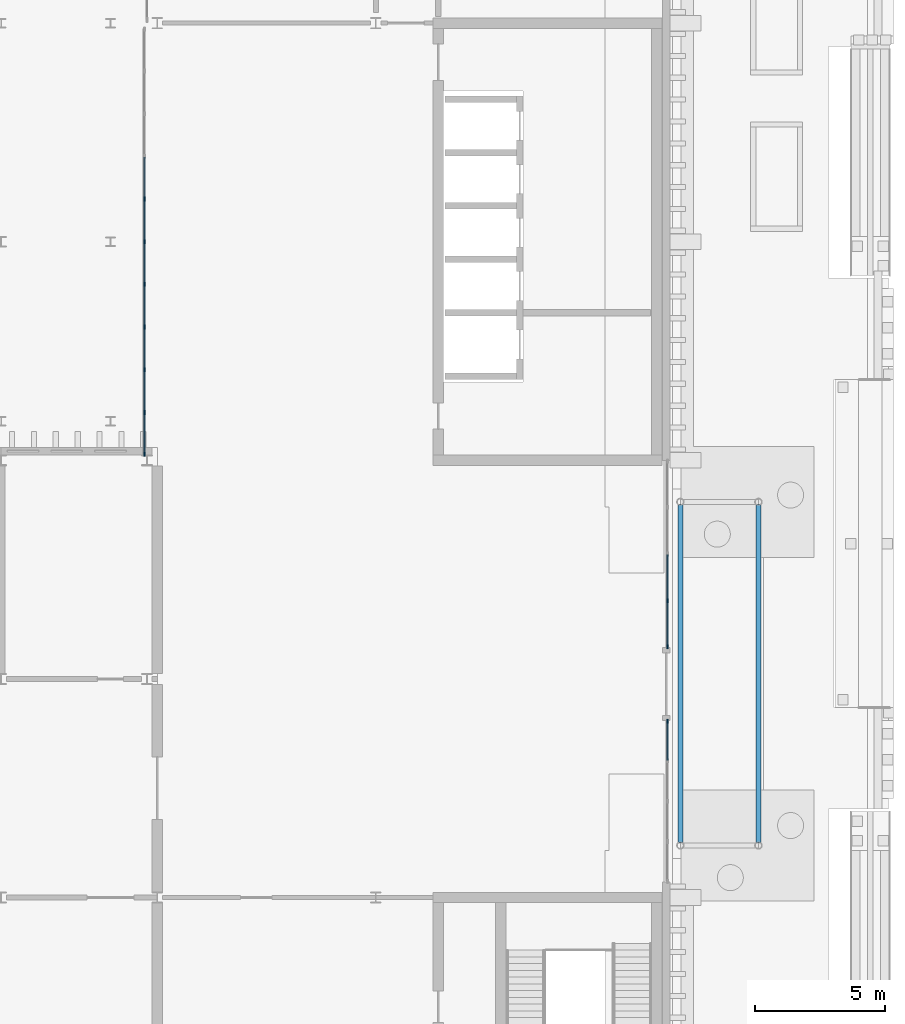
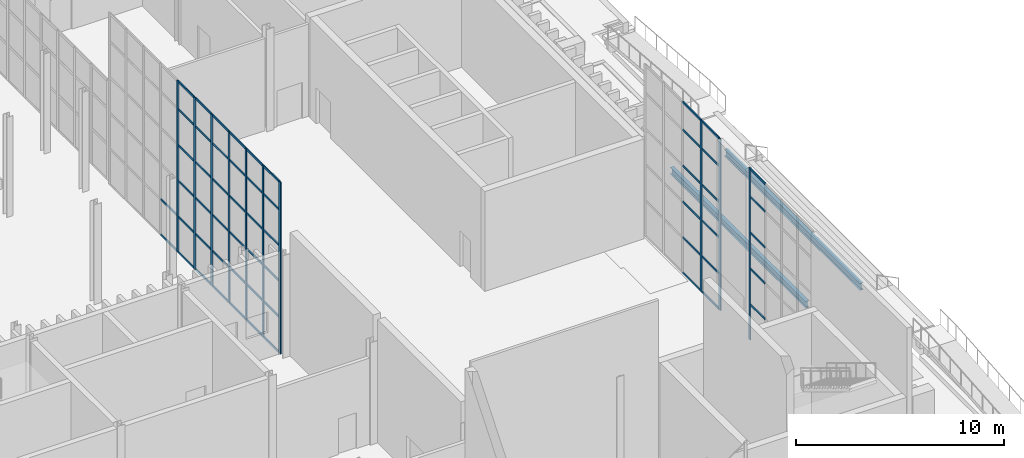
# One storey, part 40 of 108: 65 members, 2 beams, 3 elements without a shape of their own.
"""IFC4 building model written with IfcOpenShell, lengths in metres."""

from ifc_helpers import new_model, si_unit, direction, frame, origin, origin_2d, place, context, subcontext, project, spatial, rectangle, i_section, extrude, material, material_profile, profile_set, type_object, element, aggregate, save


model = new_model("IFC4")

# Units and contexts
model_context = context("Model", 3, precision=1e-05, world=origin(), true_north=direction((0.0, 1.0)))
body_context = subcontext(model_context, "Body", "Model", "MODEL_VIEW")
ifc_project = project(units=[si_unit("LENGTHUNIT", "METRE"), si_unit("AREAUNIT", "SQUARE_METRE"), si_unit("VOLUMEUNIT", "CUBIC_METRE"), si_unit("PLANEANGLEUNIT", "RADIAN"), si_unit("MASSUNIT", "GRAM", prefix="KILO")], contexts=[model_context])

# Site, building, storey
site_placement = place(None, origin())
site = spatial("IfcSite", under=ifc_project, at=site_placement, CompositionType="ELEMENT")
building_placement = place(site_placement, origin())
building = spatial("IfcBuilding", under=site, at=building_placement, Name="Cresset Court Congress Hotel", CompositionType="ELEMENT")
storey_placement = place(building_placement, origin())
storey = spatial("IfcBuildingStorey", under=building, at=storey_placement, Name="L00", CompositionType="ELEMENT", Elevation=0.0)

# Beams
ifc_material_1 = material(Name="Structural steel Q355B", Category="steel")
ifc_material_profile_1 = material_profile(ifc_material_1, i_section(OverallWidth=0.198974609375, OverallDepth=0.39599609375, WebThickness=0.007080078125, FlangeThickness=0.010986328125, FilletRadius=0.01611328125, at=origin_2d()), Name="HN396x199x7x11")
ifc_profile_set_1 = profile_set([ifc_material_profile_1], Name="Structural steel Q355B")
beam_type = type_object("IfcBeamType", Name="Canopy beam HN396x199x7x11", PredefinedType="BEAM", material=ifc_profile_set_1)
for number, where, z_axis, x_axis, name in (
    (1, (177.300048828125, 10.49951171875, 4.701904296875), (0.0, 1.0, 0.0), (-1.0, 0.0, 0.0), "Canopy edge beam 1"),
    (2, (180.300048828125, 10.49951171875, 4.701904296875), (0.0, 1.0, 0.0), (-1.0, 0.0, 0.0), "Canopy edge beam 2"),
):
    element("IfcBeam", number, at=place(storey_placement, frame(where, z_axis=z_axis, x_axis=x_axis)), inside=storey, type_object=beam_type, Name=name, PredefinedType="BEAM", context=body_context, shape_type="SweptSolid", body=[
        extrude(i_section(OverallWidth=0.198974609375, OverallDepth=0.39599609375, WebThickness=0.007080078125, FlangeThickness=0.010986328125, FilletRadius=0.01611328125, at=origin_2d()), origin(), (0.0, 0.0, 1.0), 13.0009765625),
    ])

# Curtain wall, members
ifc_material_2 = material(Name="Aluminium and glass", Category="aluminium")
curtain_wall_type = type_object("IfcCurtainWallType", Name="Curtain wall 1680 module", PredefinedType="NOTDEFINED", material=ifc_material_2)
curtain_wall_1_placement = place(storey_placement, origin())
curtain_wall_1 = element("IfcCurtainWall", 3, at=curtain_wall_1_placement, inside=storey, type_object=curtain_wall_type, Name="Lobby glazing west", PredefinedType="NOTDEFINED")
ifc_material_3 = material(Name="Anodised aluminium", Category="aluminium")
ifc_material_profile_2 = material_profile(ifc_material_3, rectangle(XDim=0.06005859375, YDim=0.159912109375, at=origin_2d()), Name="AL60x160")
ifc_profile_set_2 = profile_set([ifc_material_profile_2], Name="Anodised aluminium")
member_type_1 = type_object("IfcMemberType", Name="Curtain wall mullion 60x160", PredefinedType="MULLION", material=ifc_profile_set_2)
member_1_placement = place(storey_placement, frame((156.699951171875, 25.429931640625, 0.0), z_axis=(0.0, 0.0, 1.0), x_axis=(-1.0, 0.0, 0.0)))
member_1 = element("IfcMember", 4, at=member_1_placement, type_object=member_type_1, Name="A-X1 mullion 1", PredefinedType="MULLION", context=body_context, shape_type="SweptSolid", body=[
    extrude(rectangle(XDim=0.06005859375, YDim=0.159912109375, at=origin_2d()), origin(), (0.0, 0.0, 1.0), 10.050048828125),
])
member_2_placement = place(storey_placement, frame((156.699951171875, 27.0400390625, 0.0), z_axis=(0.0, 0.0, 1.0), x_axis=(-1.0, 0.0, 0.0)))
member_2 = element("IfcMember", 5, at=member_2_placement, type_object=member_type_1, Name="A-X1 mullion 2", PredefinedType="MULLION", context=body_context, shape_type="SweptSolid", body=[
    extrude(rectangle(XDim=0.06005859375, YDim=0.159912109375, at=origin_2d()), origin(), (0.0, 0.0, 1.0), 10.050048828125),
])
member_3_placement = place(storey_placement, frame((156.699951171875, 28.679931640625, 0.0), z_axis=(0.0, 0.0, 1.0), x_axis=(-1.0, 0.0, 0.0)))
member_3 = element("IfcMember", 6, at=member_3_placement, type_object=member_type_1, Name="A-X1 mullion 3", PredefinedType="MULLION", context=body_context, shape_type="SweptSolid", body=[
    extrude(rectangle(XDim=0.06005859375, YDim=0.159912109375, at=origin_2d()), origin(), (0.0, 0.0, 1.0), 10.050048828125),
])
member_4_placement = place(storey_placement, frame((156.699951171875, 30.320068359375, 0.0), z_axis=(0.0, 0.0, 1.0), x_axis=(-1.0, 0.0, 0.0)))
member_4 = element("IfcMember", 7, at=member_4_placement, type_object=member_type_1, Name="A-X1 mullion 4", PredefinedType="MULLION", context=body_context, shape_type="SweptSolid", body=[
    extrude(rectangle(XDim=0.06005859375, YDim=0.159912109375, at=origin_2d()), origin(), (0.0, 0.0, 1.0), 10.050048828125),
])
member_5_placement = place(storey_placement, frame((156.699951171875, 31.9599609375, 0.0), z_axis=(0.0, 0.0, 1.0), x_axis=(-1.0, 0.0, 0.0)))
member_5 = element("IfcMember", 8, at=member_5_placement, type_object=member_type_1, Name="A-X1 mullion 5", PredefinedType="MULLION", context=body_context, shape_type="SweptSolid", body=[
    extrude(rectangle(XDim=0.06005859375, YDim=0.159912109375, at=origin_2d()), origin(), (0.0, 0.0, 1.0), 10.050048828125),
])
member_6_placement = place(storey_placement, frame((156.699951171875, 33.60009765625, 0.0), z_axis=(0.0, 0.0, 1.0), x_axis=(-1.0, 0.0, 0.0)))
member_6 = element("IfcMember", 9, at=member_6_placement, type_object=member_type_1, Name="A-X1 mullion 6", PredefinedType="MULLION", context=body_context, shape_type="SweptSolid", body=[
    extrude(rectangle(XDim=0.06005859375, YDim=0.159912109375, at=origin_2d()), origin(), (0.0, 0.0, 1.0), 10.050048828125),
])
member_7_placement = place(storey_placement, frame((156.699951171875, 35.239990234375, 0.0), z_axis=(0.0, 0.0, 1.0), x_axis=(-1.0, 0.0, 0.0)))
member_7 = element("IfcMember", 10, at=member_7_placement, type_object=member_type_1, Name="A-X1 mullion 7", PredefinedType="MULLION", context=body_context, shape_type="SweptSolid", body=[
    extrude(rectangle(XDim=0.06005859375, YDim=0.159912109375, at=origin_2d()), origin(), (0.0, 0.0, 1.0), 10.050048828125),
])

# Curtain wall, member
curtain_wall_2_placement = place(storey_placement, origin())
curtain_wall_2 = element("IfcCurtainWall", 11, at=curtain_wall_2_placement, inside=storey, type_object=curtain_wall_type, Name="Entrance glazing south", PredefinedType="NOTDEFINED")
member_8_placement = place(storey_placement, frame((176.800048828125, 15.169921875, 0.0), z_axis=(0.0, 0.0, 1.0), x_axis=(-1.0, 0.0, 0.0)))
member_8 = element("IfcMember", 12, at=member_8_placement, type_object=member_type_1, Name="A-X1 mullion 5", PredefinedType="MULLION", context=body_context, shape_type="SweptSolid", body=[
    extrude(rectangle(XDim=0.06005859375, YDim=0.159912109375, at=origin_2d()), origin(), (0.0, 0.0, 1.0), 10.050048828125),
])

# Curtain wall, members
curtain_wall_3_placement = place(storey_placement, origin())
curtain_wall_3 = element("IfcCurtainWall", 13, at=curtain_wall_3_placement, inside=storey, type_object=curtain_wall_type, Name="Entrance glazing north", PredefinedType="NOTDEFINED")
member_9_placement = place(storey_placement, frame((176.800048828125, 18.030029296875, 0.0), z_axis=(0.0, 0.0, 1.0), x_axis=(-1.0, 0.0, 0.0)))
member_9 = element("IfcMember", 14, at=member_9_placement, type_object=member_type_1, Name="A-X1 mullion 1", PredefinedType="MULLION", context=body_context, shape_type="SweptSolid", body=[
    extrude(rectangle(XDim=0.06005859375, YDim=0.159912109375, at=origin_2d()), origin(), (0.0, 0.0, 1.0), 10.050048828125),
])
member_10_placement = place(storey_placement, frame((176.800048828125, 19.800048828125, 0.0), z_axis=(0.0, 0.0, 1.0), x_axis=(-1.0, 0.0, 0.0)))
member_10 = element("IfcMember", 15, at=member_10_placement, type_object=member_type_1, Name="A-X1 mullion 2", PredefinedType="MULLION", context=body_context, shape_type="SweptSolid", body=[
    extrude(rectangle(XDim=0.06005859375, YDim=0.159912109375, at=origin_2d()), origin(), (0.0, 0.0, 1.0), 10.050048828125),
])

# Member
ifc_material_4 = material(Name="Anodised aluminium", Category="aluminium")
ifc_material_profile_3 = material_profile(ifc_material_4, rectangle(XDim=0.06005859375, YDim=0.1201171875, at=origin_2d()), Name="AL60x120")
ifc_profile_set_3 = profile_set([ifc_material_profile_3], Name="Anodised aluminium")
member_type_2 = type_object("IfcMemberType", Name="Curtain wall transom 60x120", PredefinedType="USERDEFINED", material=ifc_profile_set_3)
member_11_placement = place(storey_placement, frame((156.699951171875, 25.4599609375, 0.030029296875), z_axis=(0.0, 1.0, 0.0), x_axis=(-1.0, 0.0, 0.0)))
member_11 = element("IfcMember", 16, at=member_11_placement, type_object=member_type_2, Name="A-X1 transom 1.1", ObjectType="TRANSOM", PredefinedType="USERDEFINED", context=body_context, shape_type="SweptSolid", body=[
    extrude(rectangle(XDim=0.06005859375, YDim=0.1201171875, at=origin_2d()), origin(), (0.0, 0.0, 1.0), 1.550048828125),
])

member_12_placement = place(storey_placement, frame((156.699951171875, 25.4599609375, 2.10009765625), z_axis=(0.0, 1.0, 0.0), x_axis=(-1.0, 0.0, 0.0)))
member_12 = element("IfcMember", 17, at=member_12_placement, type_object=member_type_2, Name="A-X1 transom 1.2", ObjectType="TRANSOM", PredefinedType="USERDEFINED", context=body_context, shape_type="SweptSolid", body=[
    extrude(rectangle(XDim=0.06005859375, YDim=0.1201171875, at=origin_2d()), origin(), (0.0, 0.0, 1.0), 1.550048828125),
])

member_13_placement = place(storey_placement, frame((156.699951171875, 25.4599609375, 4.199951171875), z_axis=(0.0, 1.0, 0.0), x_axis=(-1.0, 0.0, 0.0)))
member_13 = element("IfcMember", 18, at=member_13_placement, type_object=member_type_2, Name="A-X1 transom 1.3", ObjectType="TRANSOM", PredefinedType="USERDEFINED", context=body_context, shape_type="SweptSolid", body=[
    extrude(rectangle(XDim=0.06005859375, YDim=0.1201171875, at=origin_2d()), origin(), (0.0, 0.0, 1.0), 1.550048828125),
])

member_14_placement = place(storey_placement, frame((156.699951171875, 25.4599609375, 6.300048828125), z_axis=(0.0, 1.0, 0.0), x_axis=(-1.0, 0.0, 0.0)))
member_14 = element("IfcMember", 19, at=member_14_placement, type_object=member_type_2, Name="A-X1 transom 1.4", ObjectType="TRANSOM", PredefinedType="USERDEFINED", context=body_context, shape_type="SweptSolid", body=[
    extrude(rectangle(XDim=0.06005859375, YDim=0.1201171875, at=origin_2d()), origin(), (0.0, 0.0, 1.0), 1.550048828125),
])

member_15_placement = place(storey_placement, frame((156.699951171875, 25.4599609375, 8.39990234375), z_axis=(0.0, 1.0, 0.0), x_axis=(-1.0, 0.0, 0.0)))
member_15 = element("IfcMember", 20, at=member_15_placement, type_object=member_type_2, Name="A-X1 transom 1.5", ObjectType="TRANSOM", PredefinedType="USERDEFINED", context=body_context, shape_type="SweptSolid", body=[
    extrude(rectangle(XDim=0.06005859375, YDim=0.1201171875, at=origin_2d()), origin(), (0.0, 0.0, 1.0), 1.550048828125),
])

member_16_placement = place(storey_placement, frame((156.699951171875, 25.4599609375, 10.02001953125), z_axis=(0.0, 1.0, 0.0), x_axis=(-1.0, 0.0, 0.0)))
member_16 = element("IfcMember", 21, at=member_16_placement, type_object=member_type_2, Name="A-X1 transom 1.6", ObjectType="TRANSOM", PredefinedType="USERDEFINED", context=body_context, shape_type="SweptSolid", body=[
    extrude(rectangle(XDim=0.06005859375, YDim=0.1201171875, at=origin_2d()), origin(), (0.0, 0.0, 1.0), 1.550048828125),
])

member_17_placement = place(storey_placement, frame((156.699951171875, 27.070068359375, 0.030029296875), z_axis=(0.0, 1.0, 0.0), x_axis=(-1.0, 0.0, 0.0)))
member_17 = element("IfcMember", 22, at=member_17_placement, type_object=member_type_2, Name="A-X1 transom 2.1", ObjectType="TRANSOM", PredefinedType="USERDEFINED", context=body_context, shape_type="SweptSolid", body=[
    extrude(rectangle(XDim=0.06005859375, YDim=0.1201171875, at=origin_2d()), origin(), (0.0, 0.0, 1.0), 1.579833984375),
])

member_18_placement = place(storey_placement, frame((156.699951171875, 27.070068359375, 2.10009765625), z_axis=(0.0, 1.0, 0.0), x_axis=(-1.0, 0.0, 0.0)))
member_18 = element("IfcMember", 23, at=member_18_placement, type_object=member_type_2, Name="A-X1 transom 2.2", ObjectType="TRANSOM", PredefinedType="USERDEFINED", context=body_context, shape_type="SweptSolid", body=[
    extrude(rectangle(XDim=0.06005859375, YDim=0.1201171875, at=origin_2d()), origin(), (0.0, 0.0, 1.0), 1.579833984375),
])

member_19_placement = place(storey_placement, frame((156.699951171875, 27.070068359375, 4.199951171875), z_axis=(0.0, 1.0, 0.0), x_axis=(-1.0, 0.0, 0.0)))
member_19 = element("IfcMember", 24, at=member_19_placement, type_object=member_type_2, Name="A-X1 transom 2.3", ObjectType="TRANSOM", PredefinedType="USERDEFINED", context=body_context, shape_type="SweptSolid", body=[
    extrude(rectangle(XDim=0.06005859375, YDim=0.1201171875, at=origin_2d()), origin(), (0.0, 0.0, 1.0), 1.579833984375),
])

member_20_placement = place(storey_placement, frame((156.699951171875, 27.070068359375, 6.300048828125), z_axis=(0.0, 1.0, 0.0), x_axis=(-1.0, 0.0, 0.0)))
member_20 = element("IfcMember", 25, at=member_20_placement, type_object=member_type_2, Name="A-X1 transom 2.4", ObjectType="TRANSOM", PredefinedType="USERDEFINED", context=body_context, shape_type="SweptSolid", body=[
    extrude(rectangle(XDim=0.06005859375, YDim=0.1201171875, at=origin_2d()), origin(), (0.0, 0.0, 1.0), 1.579833984375),
])

member_21_placement = place(storey_placement, frame((156.699951171875, 27.070068359375, 8.39990234375), z_axis=(0.0, 1.0, 0.0), x_axis=(-1.0, 0.0, 0.0)))
member_21 = element("IfcMember", 26, at=member_21_placement, type_object=member_type_2, Name="A-X1 transom 2.5", ObjectType="TRANSOM", PredefinedType="USERDEFINED", context=body_context, shape_type="SweptSolid", body=[
    extrude(rectangle(XDim=0.06005859375, YDim=0.1201171875, at=origin_2d()), origin(), (0.0, 0.0, 1.0), 1.579833984375),
])

member_22_placement = place(storey_placement, frame((156.699951171875, 27.070068359375, 10.02001953125), z_axis=(0.0, 1.0, 0.0), x_axis=(-1.0, 0.0, 0.0)))
member_22 = element("IfcMember", 27, at=member_22_placement, type_object=member_type_2, Name="A-X1 transom 2.6", ObjectType="TRANSOM", PredefinedType="USERDEFINED", context=body_context, shape_type="SweptSolid", body=[
    extrude(rectangle(XDim=0.06005859375, YDim=0.1201171875, at=origin_2d()), origin(), (0.0, 0.0, 1.0), 1.579833984375),
])

member_23_placement = place(storey_placement, frame((156.699951171875, 28.7099609375, 0.030029296875), z_axis=(0.0, 1.0, 0.0), x_axis=(-1.0, 0.0, 0.0)))
member_23 = element("IfcMember", 28, at=member_23_placement, type_object=member_type_2, Name="A-X1 transom 3.1", ObjectType="TRANSOM", PredefinedType="USERDEFINED", context=body_context, shape_type="SweptSolid", body=[
    extrude(rectangle(XDim=0.06005859375, YDim=0.1201171875, at=origin_2d()), origin(), (0.0, 0.0, 1.0), 1.580078125),
])

member_24_placement = place(storey_placement, frame((156.699951171875, 28.7099609375, 2.10009765625), z_axis=(0.0, 1.0, 0.0), x_axis=(-1.0, 0.0, 0.0)))
member_24 = element("IfcMember", 29, at=member_24_placement, type_object=member_type_2, Name="A-X1 transom 3.2", ObjectType="TRANSOM", PredefinedType="USERDEFINED", context=body_context, shape_type="SweptSolid", body=[
    extrude(rectangle(XDim=0.06005859375, YDim=0.1201171875, at=origin_2d()), origin(), (0.0, 0.0, 1.0), 1.580078125),
])

member_25_placement = place(storey_placement, frame((156.699951171875, 28.7099609375, 4.199951171875), z_axis=(0.0, 1.0, 0.0), x_axis=(-1.0, 0.0, 0.0)))
member_25 = element("IfcMember", 30, at=member_25_placement, type_object=member_type_2, Name="A-X1 transom 3.3", ObjectType="TRANSOM", PredefinedType="USERDEFINED", context=body_context, shape_type="SweptSolid", body=[
    extrude(rectangle(XDim=0.06005859375, YDim=0.1201171875, at=origin_2d()), origin(), (0.0, 0.0, 1.0), 1.580078125),
])

member_26_placement = place(storey_placement, frame((156.699951171875, 28.7099609375, 6.300048828125), z_axis=(0.0, 1.0, 0.0), x_axis=(-1.0, 0.0, 0.0)))
member_26 = element("IfcMember", 31, at=member_26_placement, type_object=member_type_2, Name="A-X1 transom 3.4", ObjectType="TRANSOM", PredefinedType="USERDEFINED", context=body_context, shape_type="SweptSolid", body=[
    extrude(rectangle(XDim=0.06005859375, YDim=0.1201171875, at=origin_2d()), origin(), (0.0, 0.0, 1.0), 1.580078125),
])

member_27_placement = place(storey_placement, frame((156.699951171875, 28.7099609375, 8.39990234375), z_axis=(0.0, 1.0, 0.0), x_axis=(-1.0, 0.0, 0.0)))
member_27 = element("IfcMember", 32, at=member_27_placement, type_object=member_type_2, Name="A-X1 transom 3.5", ObjectType="TRANSOM", PredefinedType="USERDEFINED", context=body_context, shape_type="SweptSolid", body=[
    extrude(rectangle(XDim=0.06005859375, YDim=0.1201171875, at=origin_2d()), origin(), (0.0, 0.0, 1.0), 1.580078125),
])

member_28_placement = place(storey_placement, frame((156.699951171875, 28.7099609375, 10.02001953125), z_axis=(0.0, 1.0, 0.0), x_axis=(-1.0, 0.0, 0.0)))
member_28 = element("IfcMember", 33, at=member_28_placement, type_object=member_type_2, Name="A-X1 transom 3.6", ObjectType="TRANSOM", PredefinedType="USERDEFINED", context=body_context, shape_type="SweptSolid", body=[
    extrude(rectangle(XDim=0.06005859375, YDim=0.1201171875, at=origin_2d()), origin(), (0.0, 0.0, 1.0), 1.580078125),
])

member_29_placement = place(storey_placement, frame((156.699951171875, 30.35009765625, 0.030029296875), z_axis=(0.0, 1.0, 0.0), x_axis=(-1.0, 0.0, 0.0)))
member_29 = element("IfcMember", 34, at=member_29_placement, type_object=member_type_2, Name="A-X1 transom 4.1", ObjectType="TRANSOM", PredefinedType="USERDEFINED", context=body_context, shape_type="SweptSolid", body=[
    extrude(rectangle(XDim=0.06005859375, YDim=0.1201171875, at=origin_2d()), origin(), (0.0, 0.0, 1.0), 1.579833984375),
])

member_30_placement = place(storey_placement, frame((156.699951171875, 30.35009765625, 2.10009765625), z_axis=(0.0, 1.0, 0.0), x_axis=(-1.0, 0.0, 0.0)))
member_30 = element("IfcMember", 35, at=member_30_placement, type_object=member_type_2, Name="A-X1 transom 4.2", ObjectType="TRANSOM", PredefinedType="USERDEFINED", context=body_context, shape_type="SweptSolid", body=[
    extrude(rectangle(XDim=0.06005859375, YDim=0.1201171875, at=origin_2d()), origin(), (0.0, 0.0, 1.0), 1.579833984375),
])

member_31_placement = place(storey_placement, frame((156.699951171875, 30.35009765625, 4.199951171875), z_axis=(0.0, 1.0, 0.0), x_axis=(-1.0, 0.0, 0.0)))
member_31 = element("IfcMember", 36, at=member_31_placement, type_object=member_type_2, Name="A-X1 transom 4.3", ObjectType="TRANSOM", PredefinedType="USERDEFINED", context=body_context, shape_type="SweptSolid", body=[
    extrude(rectangle(XDim=0.06005859375, YDim=0.1201171875, at=origin_2d()), origin(), (0.0, 0.0, 1.0), 1.579833984375),
])

member_32_placement = place(storey_placement, frame((156.699951171875, 30.35009765625, 6.300048828125), z_axis=(0.0, 1.0, 0.0), x_axis=(-1.0, 0.0, 0.0)))
member_32 = element("IfcMember", 37, at=member_32_placement, type_object=member_type_2, Name="A-X1 transom 4.4", ObjectType="TRANSOM", PredefinedType="USERDEFINED", context=body_context, shape_type="SweptSolid", body=[
    extrude(rectangle(XDim=0.06005859375, YDim=0.1201171875, at=origin_2d()), origin(), (0.0, 0.0, 1.0), 1.579833984375),
])

member_33_placement = place(storey_placement, frame((156.699951171875, 30.35009765625, 8.39990234375), z_axis=(0.0, 1.0, 0.0), x_axis=(-1.0, 0.0, 0.0)))
member_33 = element("IfcMember", 38, at=member_33_placement, type_object=member_type_2, Name="A-X1 transom 4.5", ObjectType="TRANSOM", PredefinedType="USERDEFINED", context=body_context, shape_type="SweptSolid", body=[
    extrude(rectangle(XDim=0.06005859375, YDim=0.1201171875, at=origin_2d()), origin(), (0.0, 0.0, 1.0), 1.579833984375),
])

member_34_placement = place(storey_placement, frame((156.699951171875, 30.35009765625, 10.02001953125), z_axis=(0.0, 1.0, 0.0), x_axis=(-1.0, 0.0, 0.0)))
member_34 = element("IfcMember", 39, at=member_34_placement, type_object=member_type_2, Name="A-X1 transom 4.6", ObjectType="TRANSOM", PredefinedType="USERDEFINED", context=body_context, shape_type="SweptSolid", body=[
    extrude(rectangle(XDim=0.06005859375, YDim=0.1201171875, at=origin_2d()), origin(), (0.0, 0.0, 1.0), 1.579833984375),
])

member_35_placement = place(storey_placement, frame((156.699951171875, 31.989990234375, 0.030029296875), z_axis=(0.0, 1.0, 0.0), x_axis=(-1.0, 0.0, 0.0)))
member_35 = element("IfcMember", 40, at=member_35_placement, type_object=member_type_2, Name="A-X1 transom 5.1", ObjectType="TRANSOM", PredefinedType="USERDEFINED", context=body_context, shape_type="SweptSolid", body=[
    extrude(rectangle(XDim=0.06005859375, YDim=0.1201171875, at=origin_2d()), origin(), (0.0, 0.0, 1.0), 1.580078125),
])

member_36_placement = place(storey_placement, frame((156.699951171875, 31.989990234375, 2.10009765625), z_axis=(0.0, 1.0, 0.0), x_axis=(-1.0, 0.0, 0.0)))
member_36 = element("IfcMember", 41, at=member_36_placement, type_object=member_type_2, Name="A-X1 transom 5.2", ObjectType="TRANSOM", PredefinedType="USERDEFINED", context=body_context, shape_type="SweptSolid", body=[
    extrude(rectangle(XDim=0.06005859375, YDim=0.1201171875, at=origin_2d()), origin(), (0.0, 0.0, 1.0), 1.580078125),
])

member_37_placement = place(storey_placement, frame((156.699951171875, 31.989990234375, 4.199951171875), z_axis=(0.0, 1.0, 0.0), x_axis=(-1.0, 0.0, 0.0)))
member_37 = element("IfcMember", 42, at=member_37_placement, type_object=member_type_2, Name="A-X1 transom 5.3", ObjectType="TRANSOM", PredefinedType="USERDEFINED", context=body_context, shape_type="SweptSolid", body=[
    extrude(rectangle(XDim=0.06005859375, YDim=0.1201171875, at=origin_2d()), origin(), (0.0, 0.0, 1.0), 1.580078125),
])

member_38_placement = place(storey_placement, frame((156.699951171875, 31.989990234375, 6.300048828125), z_axis=(0.0, 1.0, 0.0), x_axis=(-1.0, 0.0, 0.0)))
member_38 = element("IfcMember", 43, at=member_38_placement, type_object=member_type_2, Name="A-X1 transom 5.4", ObjectType="TRANSOM", PredefinedType="USERDEFINED", context=body_context, shape_type="SweptSolid", body=[
    extrude(rectangle(XDim=0.06005859375, YDim=0.1201171875, at=origin_2d()), origin(), (0.0, 0.0, 1.0), 1.580078125),
])

member_39_placement = place(storey_placement, frame((156.699951171875, 31.989990234375, 8.39990234375), z_axis=(0.0, 1.0, 0.0), x_axis=(-1.0, 0.0, 0.0)))
member_39 = element("IfcMember", 44, at=member_39_placement, type_object=member_type_2, Name="A-X1 transom 5.5", ObjectType="TRANSOM", PredefinedType="USERDEFINED", context=body_context, shape_type="SweptSolid", body=[
    extrude(rectangle(XDim=0.06005859375, YDim=0.1201171875, at=origin_2d()), origin(), (0.0, 0.0, 1.0), 1.580078125),
])

member_40_placement = place(storey_placement, frame((156.699951171875, 31.989990234375, 10.02001953125), z_axis=(0.0, 1.0, 0.0), x_axis=(-1.0, 0.0, 0.0)))
member_40 = element("IfcMember", 45, at=member_40_placement, type_object=member_type_2, Name="A-X1 transom 5.6", ObjectType="TRANSOM", PredefinedType="USERDEFINED", context=body_context, shape_type="SweptSolid", body=[
    extrude(rectangle(XDim=0.06005859375, YDim=0.1201171875, at=origin_2d()), origin(), (0.0, 0.0, 1.0), 1.580078125),
])

member_41_placement = place(storey_placement, frame((156.699951171875, 33.6298828125, 0.030029296875), z_axis=(0.0, 1.0, 0.0), x_axis=(-1.0, 0.0, 0.0)))
member_41 = element("IfcMember", 46, at=member_41_placement, type_object=member_type_2, Name="A-X1 transom 6.1", ObjectType="TRANSOM", PredefinedType="USERDEFINED", context=body_context, shape_type="SweptSolid", body=[
    extrude(rectangle(XDim=0.06005859375, YDim=0.1201171875, at=origin_2d()), origin(), (0.0, 0.0, 1.0), 1.580078125),
])

member_42_placement = place(storey_placement, frame((156.699951171875, 33.6298828125, 2.10009765625), z_axis=(0.0, 1.0, 0.0), x_axis=(-1.0, 0.0, 0.0)))
member_42 = element("IfcMember", 47, at=member_42_placement, type_object=member_type_2, Name="A-X1 transom 6.2", ObjectType="TRANSOM", PredefinedType="USERDEFINED", context=body_context, shape_type="SweptSolid", body=[
    extrude(rectangle(XDim=0.06005859375, YDim=0.1201171875, at=origin_2d()), origin(), (0.0, 0.0, 1.0), 1.580078125),
])

member_43_placement = place(storey_placement, frame((156.699951171875, 33.6298828125, 4.199951171875), z_axis=(0.0, 1.0, 0.0), x_axis=(-1.0, 0.0, 0.0)))
member_43 = element("IfcMember", 48, at=member_43_placement, type_object=member_type_2, Name="A-X1 transom 6.3", ObjectType="TRANSOM", PredefinedType="USERDEFINED", context=body_context, shape_type="SweptSolid", body=[
    extrude(rectangle(XDim=0.06005859375, YDim=0.1201171875, at=origin_2d()), origin(), (0.0, 0.0, 1.0), 1.580078125),
])

member_44_placement = place(storey_placement, frame((156.699951171875, 33.6298828125, 6.300048828125), z_axis=(0.0, 1.0, 0.0), x_axis=(-1.0, 0.0, 0.0)))
member_44 = element("IfcMember", 49, at=member_44_placement, type_object=member_type_2, Name="A-X1 transom 6.4", ObjectType="TRANSOM", PredefinedType="USERDEFINED", context=body_context, shape_type="SweptSolid", body=[
    extrude(rectangle(XDim=0.06005859375, YDim=0.1201171875, at=origin_2d()), origin(), (0.0, 0.0, 1.0), 1.580078125),
])

member_45_placement = place(storey_placement, frame((156.699951171875, 33.6298828125, 8.39990234375), z_axis=(0.0, 1.0, 0.0), x_axis=(-1.0, 0.0, 0.0)))
member_45 = element("IfcMember", 50, at=member_45_placement, type_object=member_type_2, Name="A-X1 transom 6.5", ObjectType="TRANSOM", PredefinedType="USERDEFINED", context=body_context, shape_type="SweptSolid", body=[
    extrude(rectangle(XDim=0.06005859375, YDim=0.1201171875, at=origin_2d()), origin(), (0.0, 0.0, 1.0), 1.580078125),
])

member_46_placement = place(storey_placement, frame((156.699951171875, 33.6298828125, 10.02001953125), z_axis=(0.0, 1.0, 0.0), x_axis=(-1.0, 0.0, 0.0)))
member_46 = element("IfcMember", 51, at=member_46_placement, type_object=member_type_2, Name="A-X1 transom 6.6", ObjectType="TRANSOM", PredefinedType="USERDEFINED", context=body_context, shape_type="SweptSolid", body=[
    extrude(rectangle(XDim=0.06005859375, YDim=0.1201171875, at=origin_2d()), origin(), (0.0, 0.0, 1.0), 1.580078125),
])

member_47_placement = place(storey_placement, frame((156.699951171875, 35.27001953125, 0.030029296875), z_axis=(0.0, 1.0, 0.0), x_axis=(-1.0, 0.0, 0.0)))
member_47 = element("IfcMember", 52, at=member_47_placement, type_object=member_type_2, Name="A-X1 transom 7.1", ObjectType="TRANSOM", PredefinedType="USERDEFINED", context=body_context, shape_type="SweptSolid", body=[
    extrude(rectangle(XDim=0.06005859375, YDim=0.1201171875, at=origin_2d()), origin(), (0.0, 0.0, 1.0), 1.580078125),
])

member_48_placement = place(storey_placement, frame((156.699951171875, 35.27001953125, 2.10009765625), z_axis=(0.0, 1.0, 0.0), x_axis=(-1.0, 0.0, 0.0)))
member_48 = element("IfcMember", 53, at=member_48_placement, type_object=member_type_2, Name="A-X1 transom 7.2", ObjectType="TRANSOM", PredefinedType="USERDEFINED", context=body_context, shape_type="SweptSolid", body=[
    extrude(rectangle(XDim=0.06005859375, YDim=0.1201171875, at=origin_2d()), origin(), (0.0, 0.0, 1.0), 1.580078125),
])

aggregate(curtain_wall_1, [member_1, member_2, member_3, member_4, member_5, member_6, member_7, member_11, member_12, member_13, member_14, member_15, member_16, member_17, member_18, member_19, member_20, member_21, member_22, member_23, member_24, member_25, member_26, member_27, member_28, member_29, member_30, member_31, member_32, member_33, member_34, member_35, member_36, member_37, member_38, member_39, member_40, member_41, member_42, member_43, member_44, member_45, member_46, member_47, member_48])

member_49_placement = place(storey_placement, frame((176.800048828125, 13.679931640625, 2.10009765625), z_axis=(0.0, 1.0, 0.0), x_axis=(-1.0, 0.0, 0.0)))
member_49 = element("IfcMember", 54, at=member_49_placement, type_object=member_type_2, Name="A-X1 transom 4.2", ObjectType="TRANSOM", PredefinedType="USERDEFINED", context=body_context, shape_type="SweptSolid", body=[
    extrude(rectangle(XDim=0.06005859375, YDim=0.1201171875, at=origin_2d()), origin(), (0.0, 0.0, 1.0), 1.4599609375),
])

member_50_placement = place(storey_placement, frame((176.800048828125, 13.679931640625, 4.199951171875), z_axis=(0.0, 1.0, 0.0), x_axis=(-1.0, 0.0, 0.0)))
member_50 = element("IfcMember", 55, at=member_50_placement, type_object=member_type_2, Name="A-X1 transom 4.3", ObjectType="TRANSOM", PredefinedType="USERDEFINED", context=body_context, shape_type="SweptSolid", body=[
    extrude(rectangle(XDim=0.06005859375, YDim=0.1201171875, at=origin_2d()), origin(), (0.0, 0.0, 1.0), 1.4599609375),
])

member_51_placement = place(storey_placement, frame((176.800048828125, 13.679931640625, 6.300048828125), z_axis=(0.0, 1.0, 0.0), x_axis=(-1.0, 0.0, 0.0)))
member_51 = element("IfcMember", 56, at=member_51_placement, type_object=member_type_2, Name="A-X1 transom 4.4", ObjectType="TRANSOM", PredefinedType="USERDEFINED", context=body_context, shape_type="SweptSolid", body=[
    extrude(rectangle(XDim=0.06005859375, YDim=0.1201171875, at=origin_2d()), origin(), (0.0, 0.0, 1.0), 1.4599609375),
])

member_52_placement = place(storey_placement, frame((176.800048828125, 13.679931640625, 8.39990234375), z_axis=(0.0, 1.0, 0.0), x_axis=(-1.0, 0.0, 0.0)))
member_52 = element("IfcMember", 57, at=member_52_placement, type_object=member_type_2, Name="A-X1 transom 4.5", ObjectType="TRANSOM", PredefinedType="USERDEFINED", context=body_context, shape_type="SweptSolid", body=[
    extrude(rectangle(XDim=0.06005859375, YDim=0.1201171875, at=origin_2d()), origin(), (0.0, 0.0, 1.0), 1.4599609375),
])

member_53_placement = place(storey_placement, frame((176.800048828125, 13.679931640625, 10.02001953125), z_axis=(0.0, 1.0, 0.0), x_axis=(-1.0, 0.0, 0.0)))
member_53 = element("IfcMember", 58, at=member_53_placement, type_object=member_type_2, Name="A-X1 transom 4.6", ObjectType="TRANSOM", PredefinedType="USERDEFINED", context=body_context, shape_type="SweptSolid", body=[
    extrude(rectangle(XDim=0.06005859375, YDim=0.1201171875, at=origin_2d()), origin(), (0.0, 0.0, 1.0), 1.4599609375),
])

aggregate(curtain_wall_2, [member_8, member_49, member_50, member_51, member_52, member_53])

member_54_placement = place(storey_placement, frame((176.800048828125, 18.06005859375, 0.030029296875), z_axis=(0.0, 1.0, 0.0), x_axis=(-1.0, 0.0, 0.0)))
member_54 = element("IfcMember", 59, at=member_54_placement, type_object=member_type_2, Name="A-X1 transom 1.1", ObjectType="TRANSOM", PredefinedType="USERDEFINED", context=body_context, shape_type="SweptSolid", body=[
    extrude(rectangle(XDim=0.06005859375, YDim=0.1201171875, at=origin_2d()), origin(), (0.0, 0.0, 1.0), 1.7099609375),
])

member_55_placement = place(storey_placement, frame((176.800048828125, 18.06005859375, 2.10009765625), z_axis=(0.0, 1.0, 0.0), x_axis=(-1.0, 0.0, 0.0)))
member_55 = element("IfcMember", 60, at=member_55_placement, type_object=member_type_2, Name="A-X1 transom 1.2", ObjectType="TRANSOM", PredefinedType="USERDEFINED", context=body_context, shape_type="SweptSolid", body=[
    extrude(rectangle(XDim=0.06005859375, YDim=0.1201171875, at=origin_2d()), origin(), (0.0, 0.0, 1.0), 1.7099609375),
])

member_56_placement = place(storey_placement, frame((176.800048828125, 18.06005859375, 4.199951171875), z_axis=(0.0, 1.0, 0.0), x_axis=(-1.0, 0.0, 0.0)))
member_56 = element("IfcMember", 61, at=member_56_placement, type_object=member_type_2, Name="A-X1 transom 1.3", ObjectType="TRANSOM", PredefinedType="USERDEFINED", context=body_context, shape_type="SweptSolid", body=[
    extrude(rectangle(XDim=0.06005859375, YDim=0.1201171875, at=origin_2d()), origin(), (0.0, 0.0, 1.0), 1.7099609375),
])

member_57_placement = place(storey_placement, frame((176.800048828125, 18.06005859375, 6.300048828125), z_axis=(0.0, 1.0, 0.0), x_axis=(-1.0, 0.0, 0.0)))
member_57 = element("IfcMember", 62, at=member_57_placement, type_object=member_type_2, Name="A-X1 transom 1.4", ObjectType="TRANSOM", PredefinedType="USERDEFINED", context=body_context, shape_type="SweptSolid", body=[
    extrude(rectangle(XDim=0.06005859375, YDim=0.1201171875, at=origin_2d()), origin(), (0.0, 0.0, 1.0), 1.7099609375),
])

member_58_placement = place(storey_placement, frame((176.800048828125, 18.06005859375, 8.39990234375), z_axis=(0.0, 1.0, 0.0), x_axis=(-1.0, 0.0, 0.0)))
member_58 = element("IfcMember", 63, at=member_58_placement, type_object=member_type_2, Name="A-X1 transom 1.5", ObjectType="TRANSOM", PredefinedType="USERDEFINED", context=body_context, shape_type="SweptSolid", body=[
    extrude(rectangle(XDim=0.06005859375, YDim=0.1201171875, at=origin_2d()), origin(), (0.0, 0.0, 1.0), 1.7099609375),
])

member_59_placement = place(storey_placement, frame((176.800048828125, 18.06005859375, 10.02001953125), z_axis=(0.0, 1.0, 0.0), x_axis=(-1.0, 0.0, 0.0)))
member_59 = element("IfcMember", 64, at=member_59_placement, type_object=member_type_2, Name="A-X1 transom 1.6", ObjectType="TRANSOM", PredefinedType="USERDEFINED", context=body_context, shape_type="SweptSolid", body=[
    extrude(rectangle(XDim=0.06005859375, YDim=0.1201171875, at=origin_2d()), origin(), (0.0, 0.0, 1.0), 1.7099609375),
])

member_60_placement = place(storey_placement, frame((176.800048828125, 19.830078125, 0.030029296875), z_axis=(0.0, 1.0, 0.0), x_axis=(-1.0, 0.0, 0.0)))
member_60 = element("IfcMember", 65, at=member_60_placement, type_object=member_type_2, Name="A-X1 transom 2.1", ObjectType="TRANSOM", PredefinedType="USERDEFINED", context=body_context, shape_type="SweptSolid", body=[
    extrude(rectangle(XDim=0.06005859375, YDim=0.1201171875, at=origin_2d()), origin(), (0.0, 0.0, 1.0), 1.739990234375),
])

member_61_placement = place(storey_placement, frame((176.800048828125, 19.830078125, 2.10009765625), z_axis=(0.0, 1.0, 0.0), x_axis=(-1.0, 0.0, 0.0)))
member_61 = element("IfcMember", 66, at=member_61_placement, type_object=member_type_2, Name="A-X1 transom 2.2", ObjectType="TRANSOM", PredefinedType="USERDEFINED", context=body_context, shape_type="SweptSolid", body=[
    extrude(rectangle(XDim=0.06005859375, YDim=0.1201171875, at=origin_2d()), origin(), (0.0, 0.0, 1.0), 1.739990234375),
])

member_62_placement = place(storey_placement, frame((176.800048828125, 19.830078125, 4.199951171875), z_axis=(0.0, 1.0, 0.0), x_axis=(-1.0, 0.0, 0.0)))
member_62 = element("IfcMember", 67, at=member_62_placement, type_object=member_type_2, Name="A-X1 transom 2.3", ObjectType="TRANSOM", PredefinedType="USERDEFINED", context=body_context, shape_type="SweptSolid", body=[
    extrude(rectangle(XDim=0.06005859375, YDim=0.1201171875, at=origin_2d()), origin(), (0.0, 0.0, 1.0), 1.739990234375),
])

member_63_placement = place(storey_placement, frame((176.800048828125, 19.830078125, 6.300048828125), z_axis=(0.0, 1.0, 0.0), x_axis=(-1.0, 0.0, 0.0)))
member_63 = element("IfcMember", 68, at=member_63_placement, type_object=member_type_2, Name="A-X1 transom 2.4", ObjectType="TRANSOM", PredefinedType="USERDEFINED", context=body_context, shape_type="SweptSolid", body=[
    extrude(rectangle(XDim=0.06005859375, YDim=0.1201171875, at=origin_2d()), origin(), (0.0, 0.0, 1.0), 1.739990234375),
])

member_64_placement = place(storey_placement, frame((176.800048828125, 19.830078125, 8.39990234375), z_axis=(0.0, 1.0, 0.0), x_axis=(-1.0, 0.0, 0.0)))
member_64 = element("IfcMember", 69, at=member_64_placement, type_object=member_type_2, Name="A-X1 transom 2.5", ObjectType="TRANSOM", PredefinedType="USERDEFINED", context=body_context, shape_type="SweptSolid", body=[
    extrude(rectangle(XDim=0.06005859375, YDim=0.1201171875, at=origin_2d()), origin(), (0.0, 0.0, 1.0), 1.739990234375),
])

member_65_placement = place(storey_placement, frame((176.800048828125, 19.830078125, 10.02001953125), z_axis=(0.0, 1.0, 0.0), x_axis=(-1.0, 0.0, 0.0)))
member_65 = element("IfcMember", 70, at=member_65_placement, type_object=member_type_2, Name="A-X1 transom 2.6", ObjectType="TRANSOM", PredefinedType="USERDEFINED", context=body_context, shape_type="SweptSolid", body=[
    extrude(rectangle(XDim=0.06005859375, YDim=0.1201171875, at=origin_2d()), origin(), (0.0, 0.0, 1.0), 1.739990234375),
])

aggregate(curtain_wall_3, [member_9, member_10, member_54, member_55, member_56, member_57, member_58, member_59, member_60, member_61, member_62, member_63, member_64, member_65])

save(model, "model.ifc")
